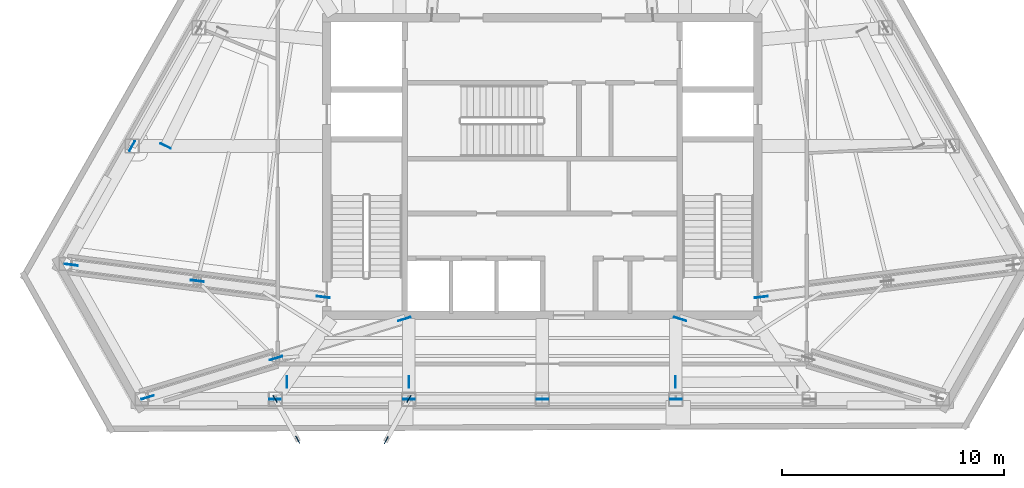
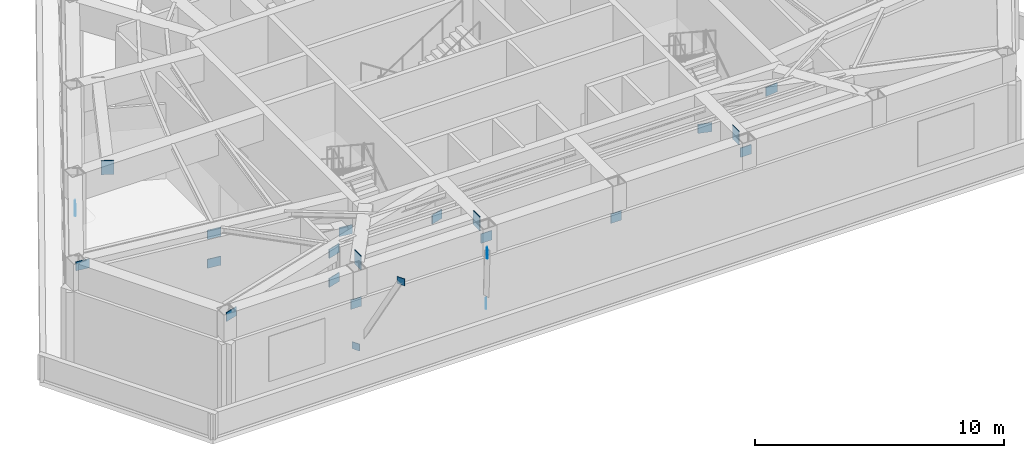
# One storey, part 5 of 13: 23 plates.
"""IFC4 building model written with IfcOpenShell, lengths in metres."""

from ifc_helpers import new_model, si_unit, direction, frame, origin, origin_2d, place, context, subcontext, project, spatial, rectangle, extrude, material, layer, layer_set, type_object, element, save


model = new_model("IFC4")

# Units and contexts
model_context = context("Model", 3, precision=1e-05, world=origin(), true_north=direction((0.0, 1.0)))
body_context = subcontext(model_context, "Body", "Model", "MODEL_VIEW")
ifc_project = project(units=[si_unit("LENGTHUNIT", "METRE"), si_unit("AREAUNIT", "SQUARE_METRE"), si_unit("VOLUMEUNIT", "CUBIC_METRE"), si_unit("PLANEANGLEUNIT", "RADIAN"), si_unit("MASSUNIT", "GRAM", prefix="KILO")], contexts=[model_context])

# Site, building, storey
site_placement = place(None, origin())
site = spatial("IfcSite", under=ifc_project, at=site_placement, CompositionType="ELEMENT")
building_placement = place(site_placement, origin())
building = spatial("IfcBuilding", under=site, at=building_placement, Name="Kavelnor Concourse Tower", CompositionType="ELEMENT")
storey_placement = place(building_placement, frame((0.0, 0.0, 234.300048828125)))
storey = spatial("IfcBuildingStorey", under=building, at=storey_placement, Name="L59", CompositionType="ELEMENT", Elevation=234.300048828125)

# Plates
ifc_material = material(Name="Steel Grade 350", Category="steel")
ifc_layer_1 = layer(ifc_material, 0.028076171875, Name="Steel Grade 350")
ifc_layer_set_1 = layer_set([ifc_layer_1], Name="Steel Grade 350")
plate_type_1 = type_object("IfcPlateType", Name="PL-GUSSET-FOLD", PredefinedType="USERDEFINED", material=ifc_layer_set_1)
for number, where, z_axis, x_axis, name in (
    (1, (25.970458984375, 5.6337890625, 0.8798828125), (0.0, 0.0, 1.0), (0.483893454972, -0.87512691893, 0.0), "L59 Balcony Strut Gusset GP4 2-A End Gusset A"),
    (2, (26.987060546875, 3.795654296875, 4.8349609375), (0.0, 0.0, 1.0), (0.483893454972, -0.87512691893, 0.0), "L59 Balcony Strut Gusset GP4 2-A End Gusset B"),
    (3, (31.993896484375, 5.6337890625, 0.8798828125), (0.0, 0.0, 1.0), (-0.48129477498, -0.876558805544, 0.0), "L59 Balcony Strut Gusset GP4 2-B End Gusset A"),
    (4, (30.975341796875, 3.77880859375, 4.8349609375), (0.0, 0.0, 1.0), (-0.48129477498, -0.876558805544, 0.0), "L59 Balcony Strut Gusset GP4 2-B End Gusset B"),
):
    element("IfcPlate", number, at=place(storey_placement, frame(where, z_axis=z_axis, x_axis=x_axis)), inside=storey, type_object=plate_type_1, Name=name, ObjectType="GUSSET_PLATE", PredefinedType="USERDEFINED", context=body_context, shape_type="SweptSolid", body=[
        extrude(rectangle(XDim=0.360107421875, YDim=0.028076171875, at=origin_2d()), origin(), (0.0, 0.0, 1.0), 0.340087890625),
    ])
ifc_layer_2 = layer(ifc_material, 0.035888671875, Name="Steel Grade 350")
ifc_layer_set_2 = layer_set([ifc_layer_2], Name="Steel Grade 350")
plate_type_2 = type_object("IfcPlateType", Name="PL-GUSSET-OUTRIG", PredefinedType="USERDEFINED", material=ifc_layer_set_2)
for number, where, z_axis, x_axis, name in (
    (5, (28.1396484375, 10.2216796875, 2.9599609375), (0.0, 0.0, 1.0), (-0.99191660444, 0.126891488428, 0.0), "L59 Outrigger Truss Node Gusset Plate GP2 F0B-B0"),
    (6, (22.463623046875, 10.94775390625, 2.9599609375), (0.0, 0.0, 1.0), (-0.99191660444, 0.126891488428, 0.0), "L59 Outrigger Truss Node Gusset Plate GP2 F0B-MB"),
    (7, (22.463623046875, 10.94775390625, 4.3798828125), (0.0, 0.0, 1.0), (-0.99191660444, 0.126891488428, 0.0), "L59 Outrigger Truss Node Gusset Plate GP2 F0B-MT"),
    (8, (16.78759765625, 11.673583984375, 4.3798828125), (0.0, 0.0, 1.0), (-0.99191660444, 0.126891488428, 0.0), "L59 Outrigger Truss Node Gusset Plate GP2 F0B-B1"),
    (9, (31.792724609375, 9.231689453125, 2.9599609375), (0.0, 0.0, 1.0), (-0.956457710334, -0.291870944669, 0.0), "L59 Outrigger Truss Node Gusset Plate GP2 F1A-B0"),
    (10, (26.009521484375, 7.46728515625, 2.9599609375), (0.0, 0.0, 1.0), (-0.956457710334, -0.291870944669, 0.0), "L59 Outrigger Truss Node Gusset Plate GP2 F1A-MB"),
    (11, (26.009521484375, 7.46728515625, 4.3798828125), (0.0, 0.0, 1.0), (-0.956457710334, -0.291870944669, 0.0), "L59 Outrigger Truss Node Gusset Plate GP2 F1A-MT"),
    (12, (20.226318359375, 5.703125, 4.3798828125), (0.0, 0.0, 1.0), (-0.956457710334, -0.291870944669, 0.0), "L59 Outrigger Truss Node Gusset Plate GP2 F1A-B1"),
    (13, (44.207275390625, 9.231689453125, 2.9599609375), (0.0, 0.0, 1.0), (0.956457710334, -0.291870944669, 0.0), "L59 Outrigger Truss Node Gusset Plate GP2 F1B-B0"),
    (14, (47.8603515625, 10.2216796875, 2.9599609375), (0.0, 0.0, 1.0), (0.99191660444, 0.126891488428, 0.0), "L59 Outrigger Truss Node Gusset Plate GP2 F2A-B0"),
):
    element("IfcPlate", number, at=place(storey_placement, frame(where, z_axis=z_axis, x_axis=x_axis)), inside=storey, type_object=plate_type_2, Name=name, ObjectType="GUSSET_PLATE", PredefinedType="USERDEFINED", context=body_context, shape_type="SweptSolid", body=[
        extrude(rectangle(XDim=0.580078125, YDim=0.035888671875, at=origin_2d()), origin(), (0.0, 0.0, 1.0), 0.43994140625),
    ])
for number, where, z_axis, x_axis, name in (
    (15, (19.52880859375, 17.019287109375, 2.949951171875), (0.0, 0.0, 1.0), (0.491967775447, 0.870613408995, 0.0), "L59 Belt Truss Diagonal F0-B4 End Gusset A"),
    (16, (25.96435546875, 5.623291015625, 2.949951171875), (0.0, 0.0, 1.0), (1.0, 0.0, 0.0), "L59 Belt Truss Diagonal F1-B1 End Gusset A"),
    (17, (32.000244140625, 5.623291015625, 4.080078125), (0.0, 0.0, 1.0), (1.0, 0.0, 0.0), "L59 Belt Truss Diagonal F1-B1 End Gusset B"),
    (18, (38.011962890625, 5.623291015625, 2.949951171875), (0.0, 0.0, 1.0), (-1.0, 0.0, 0.0), "L59 Belt Truss Diagonal F1-B2 End Gusset A"),
    (19, (44.023681640625, 5.623291015625, 4.080078125), (0.0, 0.0, 1.0), (1.0, 0.0, 0.0), "L59 Belt Truss Diagonal F1-B3 End Gusset B"),
):
    element("IfcPlate", number, at=place(storey_placement, frame(where, z_axis=z_axis, x_axis=x_axis)), inside=storey, type_object=plate_type_2, Name=name, ObjectType="GUSSET_PLATE", PredefinedType="USERDEFINED", context=body_context, shape_type="SweptSolid", body=[
        extrude(rectangle(XDim=0.5, YDim=0.035888671875, at=origin_2d()), origin(), (0.0, 0.0, 1.0), 0.4599609375),
    ])
ifc_layer_3 = layer(ifc_material, 0.02490234375, Name="Steel Grade 350")
ifc_layer_set_3 = layer_set([ifc_layer_3], Name="Steel Grade 350")
plate_type_3 = type_object("IfcPlateType", Name="PL-SPLICE-FLANGE", PredefinedType="SHEET", material=ifc_layer_set_3)
for number, where, z_axis, x_axis, name in (
    (20, (21.04150390625, 17.02001953125, 4.2900390625), (0.0, 0.0, 1.0), (0.898104345953, -0.439782427776, 0.0), "L59 Belt Truss Chord End Cap F0-B4-B"),
    (21, (26.50390625, 6.394775390625, 4.2900390625), (0.0, 0.0, 1.0), (-0.000872664515, -0.999999619228, 0.0), "L59 Belt Truss Chord End Cap F1-B1-A"),
    (22, (31.999267578125, 6.3896484375, 4.2900390625), (0.0, 0.0, 1.0), (0.000872664515, 0.999999619228, 0.0), "L59 Belt Truss Chord End Cap F1-B1-B"),
    (23, (44.000732421875, 6.3896484375, 4.2900390625), (0.0, 0.0, 1.0), (0.000872664515, -0.999999619228, 0.0), "L59 Belt Truss Chord End Cap F1-B4-A"),
):
    element("IfcPlate", number, at=place(storey_placement, frame(where, z_axis=z_axis, x_axis=x_axis)), inside=storey, type_object=plate_type_3, Name=name, PredefinedType="SHEET", context=body_context, shape_type="SweptSolid", body=[
        extrude(rectangle(XDim=0.52001953125, YDim=0.028076171875, at=origin_2d()), origin(), (0.0, 0.0, 1.0), 0.68994140625),
    ])

save(model, "model.ifc")
